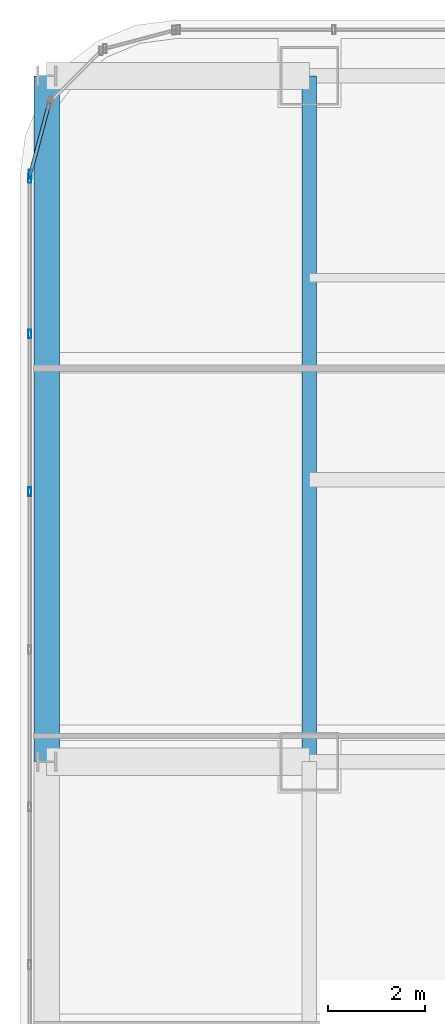
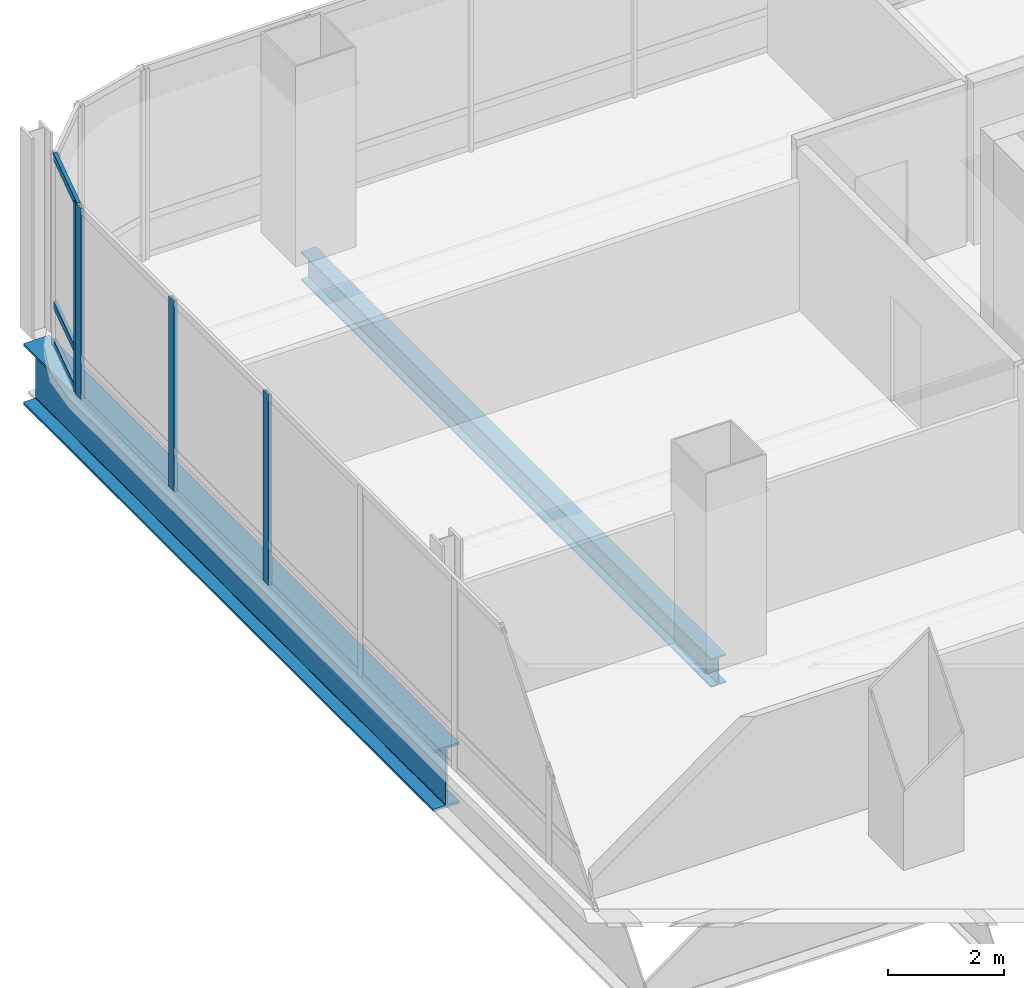
# One storey, part 23 of 42: 7 members, 2 beams, 2 elements without a shape of their own.
"""IFC4 building model written with IfcOpenShell, lengths in metres."""

from ifc_helpers import new_model, si_unit, direction, frame, origin, origin_2d, place, context, subcontext, project, spatial, hollow_rectangle, i_section, extrude, material, material_profile, profile_set, type_object, element, aggregate, save


model = new_model("IFC4")

# Units and contexts
model_context = context("Model", 3, precision=1e-05, world=origin(), true_north=direction((0.0, 1.0)))
body_context = subcontext(model_context, "Body", "Model", "MODEL_VIEW")
ifc_project = project(units=[si_unit("LENGTHUNIT", "METRE"), si_unit("AREAUNIT", "SQUARE_METRE"), si_unit("VOLUMEUNIT", "CUBIC_METRE"), si_unit("PLANEANGLEUNIT", "RADIAN"), si_unit("MASSUNIT", "GRAM", prefix="KILO")], contexts=[model_context])

# Site, building, storey
site_placement = place(None, origin())
site = spatial("IfcSite", under=ifc_project, at=site_placement, CompositionType="ELEMENT")
building_placement = place(site_placement, origin())
building = spatial("IfcBuilding", under=site, at=building_placement, Name="Punatoya Terracotta Tower", CompositionType="ELEMENT")
storey_placement = place(building_placement, frame((0.0, 0.0, 325.800048828125)))
storey = spatial("IfcBuildingStorey", under=building, at=storey_placement, Name="L77", CompositionType="ELEMENT", Elevation=325.800048828125)

# Beams
ifc_material_1 = material(Name="Steel S355", Category="steel")
ifc_material_profile_1 = material_profile(ifc_material_1, i_section(OverallWidth=0.300048828125, OverallDepth=0.60009765625, WebThickness=0.015380859375, FlangeThickness=0.030029296875, FilletRadius=0.01806640625, at=origin_2d()))
ifc_profile_set_1 = profile_set([ifc_material_profile_1], Name="Steel S355")
beam_type_1 = type_object("IfcBeamType", Name="BM-PRI-600", PredefinedType="BEAM", material=ifc_profile_set_1)
beam_1_placement = place(storey_placement, frame((-19.10009765625, 3.39990234375, -0.5), z_axis=(0.0, 1.0, 0.0), x_axis=(-1.0, 0.0, 0.0)))
element("IfcBeam", 1, at=beam_1_placement, inside=storey, type_object=beam_type_1, Name="BM-L77-RG-W3", PredefinedType="BEAM", context=body_context, shape_type="SweptSolid", body=[
    extrude(i_section(OverallWidth=0.300048828125, OverallDepth=0.60009765625, WebThickness=0.015380859375, FlangeThickness=0.030029296875, FilletRadius=0.01806640625, at=origin_2d()), origin(), (0.0, 0.0, 1.0), 14.10009765625),
])
ifc_material_2 = material(Name="Steel S460", Category="steel")
ifc_material_profile_2 = material_profile(ifc_material_2, i_section(OverallWidth=0.52001953125, OverallDepth=1.280029296875, WebThickness=0.031982421875, FlangeThickness=0.050048828125, FilletRadius=0.01806640625, at=origin_2d()))
ifc_profile_set_2 = profile_set([ifc_material_profile_2], Name="Steel S460")
beam_type_2 = type_object("IfcBeamType", Name="BM-TG-NCK", PredefinedType="BEAM", material=ifc_profile_set_2)
beam_2_placement = place(storey_placement, frame((-24.5, 3.39990234375, -0.840087890625), z_axis=(0.0, 1.0, 0.0), x_axis=(-1.0, 0.0, 0.0)))
element("IfcBeam", 2, at=beam_2_placement, inside=storey, type_object=beam_type_2, Name="BM-L77-PER-W3", PredefinedType="BEAM", context=body_context, shape_type="SweptSolid", body=[
    extrude(i_section(OverallWidth=0.52001953125, OverallDepth=1.280029296875, WebThickness=0.031982421875, FlangeThickness=0.050048828125, FilletRadius=0.01806640625, at=origin_2d()), origin(), (0.0, 0.0, 1.0), 14.10009765625),
])

# Curtain wall, member
ifc_material_3 = material(Name="Aluminium 6063-T6 + Double Low-E Glass", Category="aluminium")
curtain_wall_type = type_object("IfcCurtainWallType", Name="CW-OBS", PredefinedType="NOTDEFINED", material=ifc_material_3)
curtain_wall_1_placement = place(storey_placement, origin())
curtain_wall_1 = element("IfcCurtainWall", 3, at=curtain_wall_1_placement, inside=storey, type_object=curtain_wall_type, Name="L77 Curtain Wall CW-L77-CRN12", PredefinedType="NOTDEFINED")
ifc_material_4 = material(Name="Aluminium 6063-T6", Category="aluminium")
ifc_material_profile_3 = material_profile(ifc_material_4, hollow_rectangle(XDim=0.070068359375, YDim=0.179931640625, WallThickness=0.00390625, at=origin_2d()))
ifc_profile_set_3 = profile_set([ifc_material_profile_3], Name="Aluminium 6063-T6")
member_type_1 = type_object("IfcMemberType", Name="CW-MUL-M3", PredefinedType="MULLION", material=ifc_profile_set_3)
member_1_placement = place(storey_placement, frame((-24.83837890625, 15.48046875, 0.0), z_axis=(0.0, 0.0, 1.0), x_axis=(1.0, 0.0, 0.0)))
member_1 = element("IfcMember", 4, at=member_1_placement, type_object=member_type_1, Name="CW-L77-CRN12 Mullion 01", PredefinedType="MULLION", context=body_context, shape_type="SweptSolid", body=[
    extrude(hollow_rectangle(XDim=0.070068359375, YDim=0.179931640625, WallThickness=0.00390625, at=origin_2d()), origin(), (0.0, 0.0, 1.0), 4.0),
])

# Curtain wall, members
curtain_wall_2_placement = place(storey_placement, origin())
curtain_wall_2 = element("IfcCurtainWall", 5, at=curtain_wall_2_placement, inside=storey, type_object=curtain_wall_type, Name="L77 Curtain Wall CW-L77-W13-1", PredefinedType="NOTDEFINED")
member_2_placement = place(storey_placement, frame((-24.85009765625, 15.391845703125, 0.0), z_axis=(0.0, 0.0, 1.0), x_axis=(1.0, 0.0, 0.0)))
member_2 = element("IfcMember", 6, at=member_2_placement, type_object=member_type_1, Name="CW-L77-W13-1 Mullion 00", PredefinedType="MULLION", context=body_context, shape_type="SweptSolid", body=[
    extrude(hollow_rectangle(XDim=0.070068359375, YDim=0.179931640625, WallThickness=0.00390625, at=origin_2d()), origin(), (0.0, 0.0, 1.0), 4.0),
])
member_3_placement = place(storey_placement, frame((-24.85009765625, 12.19384765625, 0.0), z_axis=(0.0, 0.0, 1.0), x_axis=(1.0, 0.0, 0.0)))
member_3 = element("IfcMember", 7, at=member_3_placement, type_object=member_type_1, Name="CW-L77-W13-1 Mullion 01", PredefinedType="MULLION", context=body_context, shape_type="SweptSolid", body=[
    extrude(hollow_rectangle(XDim=0.070068359375, YDim=0.179931640625, WallThickness=0.00390625, at=origin_2d()), origin(), (0.0, 0.0, 1.0), 4.0),
])
member_4_placement = place(storey_placement, frame((-24.85009765625, 8.95068359375, 0.0), z_axis=(0.0, 0.0, 1.0), x_axis=(1.0, 0.0, 0.0)))
member_4 = element("IfcMember", 8, at=member_4_placement, type_object=member_type_1, Name="CW-L77-W13-1 Mullion 02", PredefinedType="MULLION", context=body_context, shape_type="SweptSolid", body=[
    extrude(hollow_rectangle(XDim=0.070068359375, YDim=0.179931640625, WallThickness=0.00390625, at=origin_2d()), origin(), (0.0, 0.0, 1.0), 4.0),
])
aggregate(curtain_wall_2, [member_2, member_3, member_4])

# Member
ifc_material_profile_4 = material_profile(ifc_material_4, hollow_rectangle(XDim=0.068115234375, YDim=0.14990234375, WallThickness=0.00390625, at=origin_2d()))
ifc_profile_set_4 = profile_set([ifc_material_profile_4], Name="Aluminium 6063-T6")
member_type_2 = type_object("IfcMemberType", Name="CW-TRN-TYP", PredefinedType="USERDEFINED", material=ifc_profile_set_4)
member_5_placement = place(storey_placement, frame((-24.446533203125, 16.94921875, 0.0400390625), z_axis=(-0.257847112249, -0.966185730957, 0.0), x_axis=(0.966185730957, -0.257847112249, 0.0)))
member_5 = element("IfcMember", 9, at=member_5_placement, type_object=member_type_2, Name="CW-L77-CRN12 Transom 1", ObjectType="TRANSOM", PredefinedType="USERDEFINED", context=body_context, shape_type="SweptSolid", body=[
    extrude(hollow_rectangle(XDim=0.068115234375, YDim=0.14990234375, WallThickness=0.00390625, at=origin_2d()), origin(), (0.0, 0.0, 1.0), 1.565185546875),
])

member_6_placement = place(storey_placement, frame((-24.446533203125, 16.94921875, 0.849853515625), z_axis=(-0.257847112249, -0.966185730957, 0.0), x_axis=(0.966185730957, -0.257847112249, 0.0)))
member_6 = element("IfcMember", 10, at=member_6_placement, type_object=member_type_2, Name="CW-L77-CRN12 Transom 2", ObjectType="TRANSOM", PredefinedType="USERDEFINED", context=body_context, shape_type="SweptSolid", body=[
    extrude(hollow_rectangle(XDim=0.068115234375, YDim=0.14990234375, WallThickness=0.00390625, at=origin_2d()), origin(), (0.0, 0.0, 1.0), 1.565185546875),
])

member_7_placement = place(storey_placement, frame((-24.446533203125, 16.94921875, 3.9599609375), z_axis=(-0.257847112249, -0.966185730957, 0.0), x_axis=(0.966185730957, -0.257847112249, 0.0)))
member_7 = element("IfcMember", 11, at=member_7_placement, type_object=member_type_2, Name="CW-L77-CRN12 Transom 3", ObjectType="TRANSOM", PredefinedType="USERDEFINED", context=body_context, shape_type="SweptSolid", body=[
    extrude(hollow_rectangle(XDim=0.068115234375, YDim=0.14990234375, WallThickness=0.00390625, at=origin_2d()), origin(), (0.0, 0.0, 1.0), 1.565185546875),
])

aggregate(curtain_wall_1, [member_1, member_5, member_6, member_7])

save(model, "model.ifc")
